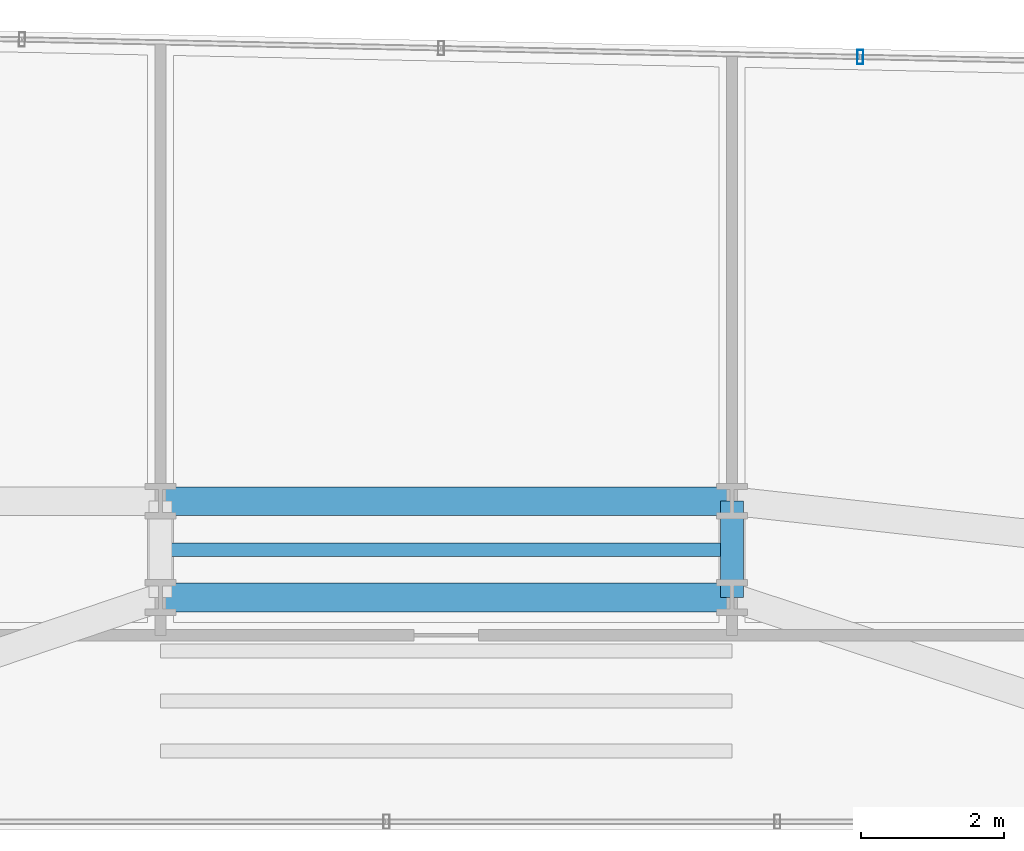
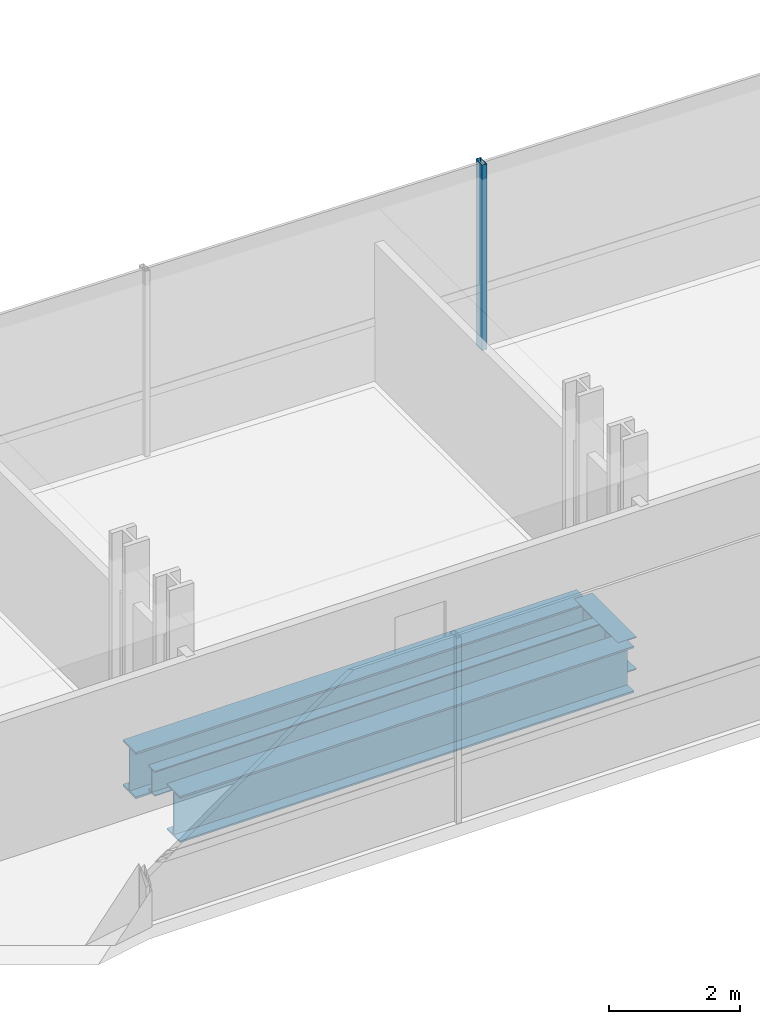
# One storey, part 20 of 38: 4 beams, 1 member, 1 element without a shape of its own.
"""IFC4 building model written with IfcOpenShell, lengths in metres."""

from ifc_helpers import new_model, si_unit, direction, frame, origin, origin_2d, place, context, subcontext, project, spatial, hollow_rectangle, i_section, extrude, source, transform, mapped, material, material_profile, profile_set, type_object, element, aggregate, save


model = new_model("IFC4")

# Units and contexts
model_context = context("Model", 3, precision=1e-05, world=origin(), true_north=direction((0.0, 1.0)))
body_context = subcontext(model_context, "Body", "Model", "MODEL_VIEW")
ifc_project = project(units=[si_unit("LENGTHUNIT", "METRE"), si_unit("AREAUNIT", "SQUARE_METRE"), si_unit("VOLUMEUNIT", "CUBIC_METRE"), si_unit("PLANEANGLEUNIT", "RADIAN"), si_unit("MASSUNIT", "GRAM", prefix="KILO")], contexts=[model_context])

# Site, building, storey
site_placement = place(None, origin())
site = spatial("IfcSite", under=ifc_project, at=site_placement, CompositionType="ELEMENT")
building_placement = place(site_placement, origin())
building = spatial("IfcBuilding", under=site, at=building_placement, Name="Valdorenza Pilgrim Sanctuary Tower", CompositionType="ELEMENT")
storey_placement = place(building_placement, frame((0.0, 0.0, 37.10009765625)))
storey = spatial("IfcBuildingStorey", under=building, at=storey_placement, Name="L08", CompositionType="ELEMENT", Elevation=37.10009765625)

# Beams
ifc_material_1 = material(Name="Steel ASTM A992 Grade 50", Category="steel")
ifc_material_profile_1 = material_profile(ifc_material_1, i_section(OverallWidth=0.39990234375, OverallDepth=0.862060546875, WebThickness=0.019775390625, FlangeThickness=0.032470703125, at=origin_2d()), Name="W33X221")
ifc_profile_set_1 = profile_set([ifc_material_profile_1], Name="Steel ASTM A992 Grade 50")
beam_type_1 = type_object("IfcBeamType", Name="STR-BM-GRD-W33", PredefinedType="BEAM", material=ifc_profile_set_1)
shared_shape_1 = source(origin(), body_context, "Body", "SweptSolid", [
    extrude(i_section(OverallWidth=0.39990234375, OverallDepth=0.862060546875, WebThickness=0.019775390625, FlangeThickness=0.032470703125, at=origin_2d()), origin(), (0.0, 0.0, 1.0), 8.0),
])
for number, where, z_axis, x_axis, name in (
    (1, (-4.0, 13.449951171875, -0.671142578125), (1.0, 0.0, 0.0), (0.0, 1.0, 0.0), "L08 Floor Girder KNK-G2"),
    (2, (-4.0, 14.800048828125, -0.671142578125), (1.0, 0.0, 0.0), (0.0, 1.0, 0.0), "L08 Floor Girder KNK-G5"),
):
    element("IfcBeam", number, at=place(storey_placement, frame(where, z_axis=z_axis, x_axis=x_axis)), inside=storey, type_object=beam_type_1, Name=name, PredefinedType="BEAM", context=body_context, shape_type="MappedRepresentation", body=[
        mapped(shared_shape_1, transform((0.0, 0.0, 0.0), x_axis=(1.0, 0.0, 0.0), y_axis=(0.0, 1.0, 0.0), z_axis=(0.0, 0.0, 1.0), scale=1.0)),
    ])
ifc_material_profile_2 = material_profile(ifc_material_1, i_section(OverallWidth=0.323974609375, OverallDepth=0.611083984375, WebThickness=0.0126953125, FlangeThickness=0.01904296875, at=origin_2d()), Name="W24X104")
ifc_profile_set_2 = profile_set([ifc_material_profile_2], Name="Steel ASTM A992 Grade 50")
beam_type_2 = type_object("IfcBeamType", Name="STR-BM-GRD-W24B", PredefinedType="BEAM", material=ifc_profile_set_2)
shared_shape_2 = source(origin(), body_context, "Body", "SweptSolid", [
    extrude(i_section(OverallWidth=0.323974609375, OverallDepth=0.611083984375, WebThickness=0.0126953125, FlangeThickness=0.01904296875, at=origin_2d()), origin(), (0.0, 0.0, 1.0), 1.35009765625),
])
beam_1_placement = place(storey_placement, frame((4.0, 13.449951171875, -0.545654296875), z_axis=(0.0, 1.0, 0.0), x_axis=(-1.0, 0.0, 0.0)))
element("IfcBeam", 3, at=beam_1_placement, inside=storey, type_object=beam_type_2, Name="L08 Floor Girder KNK-TIE-E", PredefinedType="BEAM", context=body_context, shape_type="MappedRepresentation", body=[
    mapped(shared_shape_2, transform((0.0, 0.0, 0.0), x_axis=(1.0, 0.0, 0.0), y_axis=(0.0, 1.0, 0.0), z_axis=(0.0, 0.0, 1.0), scale=1.0)),
])
ifc_material_profile_3 = material_profile(ifc_material_1, i_section(OverallWidth=0.193115234375, OverallDepth=0.466064453125, WebThickness=0.011474609375, FlangeThickness=0.01904296875, at=origin_2d()), Name="W18X65")
ifc_profile_set_3 = profile_set([ifc_material_profile_3], Name="Steel ASTM A992 Grade 50")
beam_type_3 = type_object("IfcBeamType", Name="STR-BM-JST-W18A", PredefinedType="JOIST", material=ifc_profile_set_3)
shared_shape_3 = source(origin(), body_context, "Body", "SweptSolid", [
    extrude(i_section(OverallWidth=0.193115234375, OverallDepth=0.466064453125, WebThickness=0.011474609375, FlangeThickness=0.01904296875, at=origin_2d()), origin(), (0.0, 0.0, 1.0), 8.0),
])
beam_2_placement = place(storey_placement, frame((-4.0, 14.1201171875, -0.47314453125), z_axis=(1.0, 0.0, 0.0), x_axis=(0.0, 1.0, 0.0)))
element("IfcBeam", 4, at=beam_2_placement, inside=storey, type_object=beam_type_3, Name="L08 Knuckle Composite Joist JST-KNK-4", PredefinedType="JOIST", context=body_context, shape_type="MappedRepresentation", body=[
    mapped(shared_shape_3, transform((0.0, 0.0, 0.0), x_axis=(1.0, 0.0, 0.0), y_axis=(0.0, 1.0, 0.0), z_axis=(0.0, 0.0, 1.0), scale=1.0)),
])

# Curtain wall, member
ifc_material_2 = material(Name="Curtain-wall IGU glazing", Category="glass")
curtain_wall_type = type_object("IfcCurtainWallType", Name="CW-SYS-02", PredefinedType="NOTDEFINED", material=ifc_material_2)
curtain_wall_placement = place(storey_placement, origin())
curtain_wall = element("IfcCurtainWall", 5, at=curtain_wall_placement, inside=storey, type_object=curtain_wall_type, Name="L08 Curtain Wall CW-L08-1-11", PredefinedType="NOTDEFINED")
ifc_material_3 = material(Name="Anodised aluminium AW-6060", Category="aluminium")
ifc_material_profile_4 = material_profile(ifc_material_3, hollow_rectangle(XDim=0.0849609375, YDim=0.199951171875, WallThickness=0.0048828125, at=origin_2d()), Name="ALU-M 200x85x5")
ifc_profile_set_4 = profile_set([ifc_material_profile_4], Name="Anodised aluminium AW-6060")
member_type = type_object("IfcMemberType", Name="CW-MUL-02", PredefinedType="MULLION", material=ifc_profile_set_4)
shared_shape_4 = source(origin(), body_context, "Body", "SweptSolid", [
    extrude(hollow_rectangle(XDim=0.0849609375, YDim=0.199951171875, WallThickness=0.0048828125, at=origin_2d()), origin(), (0.0, 0.0, 1.0), 3.4599609375),
])
member_placement = place(storey_placement, frame((5.797119140625, 21.019287109375, 0.0), z_axis=(0.0, 0.0, 1.0), x_axis=(0.999783234613, -0.020820273474, 0.0)))
member = element("IfcMember", 6, at=member_placement, type_object=member_type, Name="CW-L08-1-11 Mullion 4", PredefinedType="MULLION", context=body_context, shape_type="MappedRepresentation", body=[
    mapped(shared_shape_4, transform((0.0, 0.0, 0.0), x_axis=(1.0, 0.0, 0.0), y_axis=(0.0, 1.0, 0.0), z_axis=(0.0, 0.0, 1.0), scale=1.0)),
])
aggregate(curtain_wall, [member])

save(model, "model.ifc")
